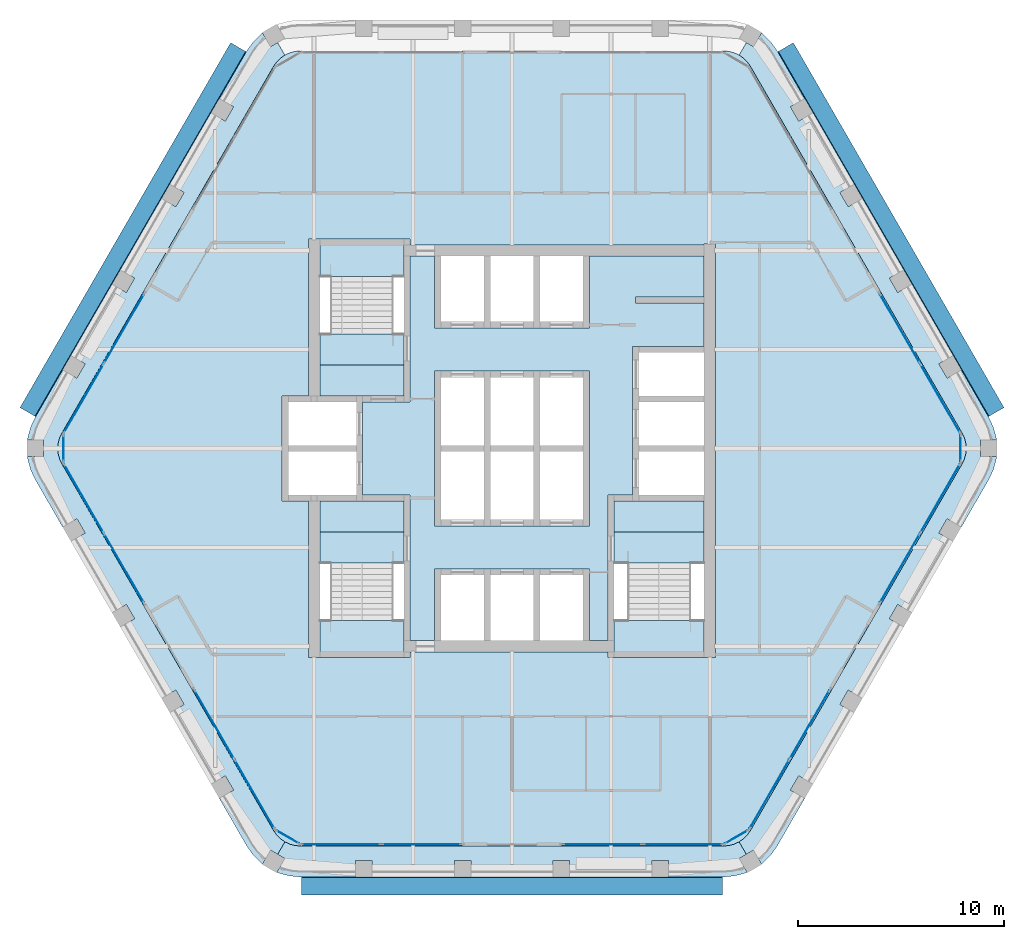
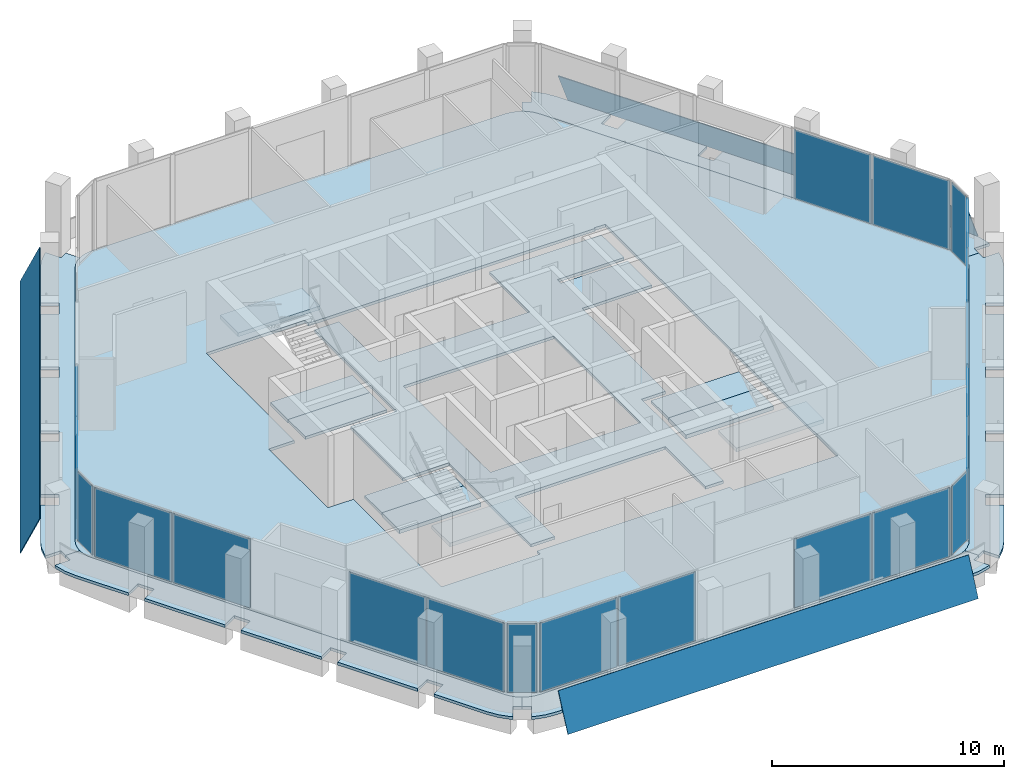
# One storey, part 6 of 13: 23 plates, 16 slabs, 15 elements without a shape of their own.
"""IFC4 building model written with IfcOpenShell, lengths in metres."""

from ifc_helpers import new_model, si_unit, direction, frame, origin, origin_2d, place, context, subcontext, project, spatial, polyline, rectangle, outline, extrude, material, layer, layer_set, type_object, element, aggregate, save


model = new_model("IFC4")

# Units and contexts
model_context = context("Model", 3, precision=1e-05, world=origin(), true_north=direction((0.0, 1.0)))
body_context = subcontext(model_context, "Body", "Model", "MODEL_VIEW")
ifc_project = project(units=[si_unit("LENGTHUNIT", "METRE"), si_unit("AREAUNIT", "SQUARE_METRE"), si_unit("VOLUMEUNIT", "CUBIC_METRE"), si_unit("PLANEANGLEUNIT", "RADIAN"), si_unit("MASSUNIT", "GRAM", prefix="KILO")], contexts=[model_context])

# Site, building, storey
site_placement = place(None, origin())
site = spatial("IfcSite", under=ifc_project, at=site_placement, CompositionType="ELEMENT")
building_placement = place(site_placement, origin())
building = spatial("IfcBuilding", under=site, at=building_placement, Name="Kolab Exchange Tower", CompositionType="ELEMENT")
storey_placement = place(building_placement, frame((0.0, 0.0, 257.89990234375)))
storey = spatial("IfcBuildingStorey", under=building, at=storey_placement, Name="L57", CompositionType="ELEMENT", Elevation=257.89990234375)

# Slabs
ifc_material_1 = material(Name="Concrete C35/45", Category="concrete")
ifc_layer_1 = layer(ifc_material_1, 0.14990234375)
ifc_layer_set_1 = layer_set([ifc_layer_1], Name="Concrete C35/45")
slab_type_1 = type_object("IfcSlabType", Name="FLOOR SLAB 150", PredefinedType="FLOOR", material=ifc_layer_set_1)
slab_1_placement = place(storey_placement, frame((0.0, 0.0, -0.14990234375)))
element("IfcSlab", 1, at=slab_1_placement, inside=storey, type_object=slab_type_1, Name="slab/L57/floor/0", PredefinedType="FLOOR", context=body_context, shape_type="SweptSolid", body=[
    extrude(outline(polyline([(11.56689453125, -18.53466796875), (21.8349609375, -0.75), (21.945556640625, -0.512939453125), (22.01318359375, -0.260498046875), (22.035888671875, 0.0), (22.01318359375, 0.260498046875), (21.945556640625, 0.512939453125), (21.8349609375, 0.75), (11.56689453125, 18.53466796875), (11.4169921875, 18.748779296875), (11.232177734375, 18.93359375), (11.01806640625, 19.083740234375), (10.781005859375, 19.194091796875), (10.5283203125, 19.26171875), (10.26806640625, 19.28466796875), (-10.26806640625, 19.28466796875), (-10.5283203125, 19.26171875), (-10.781005859375, 19.194091796875), (-11.01806640625, 19.083740234375), (-11.232177734375, 18.93359375), (-11.4169921875, 18.748779296875), (-11.56689453125, 18.53466796875), (-21.8349609375, 0.75), (-21.945556640625, 0.512939453125), (-22.01318359375, 0.260498046875), (-22.035888671875, 0.0), (-22.01318359375, -0.260498046875), (-21.945556640625, -0.512939453125), (-21.8349609375, -0.75), (-11.56689453125, -18.53466796875), (-11.4169921875, -18.748779296875), (-11.232177734375, -18.93359375), (-11.01806640625, -19.083740234375), (-10.781005859375, -19.194091796875), (-10.5283203125, -19.26171875), (-10.26806640625, -19.28466796875), (10.26806640625, -19.28466796875), (10.5283203125, -19.26171875), (10.781005859375, -19.194091796875), (11.01806640625, -19.083740234375), (11.232177734375, -18.93359375), (11.4169921875, -18.748779296875), (11.56689453125, -18.53466796875)]), holes=[polyline([(-9.324951171875, -10.14990234375), (-9.875, -10.14990234375), (-9.875, -2.550048828125), (-10.85009765625, -2.550048828125), (-11.14990234375, -2.550048828125), (-11.14990234375, 2.550048828125), (-10.85009765625, 2.550048828125), (-9.875, 2.550048828125), (-9.875, 10.14990234375), (-9.324951171875, 10.14990234375), (-5.25, 10.14990234375), (-4.949951171875, 10.14990234375), (-4.949951171875, 9.875), (9.324951171875, 9.875), (9.324951171875, 9.925048828125), (9.875, 9.925048828125), (9.875, -10.14990234375), (9.324951171875, -10.14990234375), (4.949951171875, -10.14990234375), (4.64990234375, -10.14990234375), (4.64990234375, -9.875), (-4.949951171875, -9.875), (-4.949951171875, -10.14990234375), (-5.25, -10.14990234375), (-9.324951171875, -10.14990234375)])]), origin(), (0.0, 0.0, 1.0), 0.14990234375),
])
slab_2_placement = place(storey_placement, frame((0.0, 0.0, -0.14990234375)))
element("IfcSlab", 2, at=slab_2_placement, inside=storey, type_object=slab_type_1, Name="slab/L57/floor/1", PredefinedType="FLOOR", context=body_context, shape_type="SweptSolid", body=[
    extrude(outline(polyline([(-4.949951171875, 9.324951171875), (-4.949951171875, 2.25), (-5.25, 2.25), (-7.25, 2.25), (-7.25, -2.25), (-5.25, -2.25), (-4.949951171875, -2.25), (-4.949951171875, -9.324951171875), (-3.75, -9.324951171875), (-3.75, -5.85009765625), (-3.449951171875, -5.85009765625), (-1.35009765625, -5.85009765625), (-1.050048828125, -5.85009765625), (1.050048828125, -5.85009765625), (1.35009765625, -5.85009765625), (3.449951171875, -5.85009765625), (3.75, -5.85009765625), (3.75, -9.324951171875), (4.64990234375, -9.324951171875), (4.64990234375, -2.25), (4.949951171875, -2.25), (5.85009765625, -2.25), (5.85009765625, 4.949951171875), (6.14990234375, 4.949951171875), (9.324951171875, 4.949951171875), (9.324951171875, 7.050048828125), (6.0, 7.050048828125), (6.0, 7.35009765625), (9.324951171875, 7.35009765625), (9.324951171875, 9.324951171875), (3.75, 9.324951171875), (3.75, 5.85009765625), (3.449951171875, 5.85009765625), (1.35009765625, 5.85009765625), (1.050048828125, 5.85009765625), (-1.050048828125, 5.85009765625), (-1.35009765625, 5.85009765625), (-3.449951171875, 5.85009765625), (-3.75, 5.85009765625), (-3.75, 9.324951171875), (-4.949951171875, 9.324951171875)]), holes=[polyline([(-3.449951171875, -3.75), (-3.75, -3.75), (-3.75, 3.75), (-3.449951171875, 3.75), (-1.35009765625, 3.75), (-1.050048828125, 3.75), (1.050048828125, 3.75), (1.35009765625, 3.75), (3.449951171875, 3.75), (3.75, 3.75), (3.75, -3.75), (3.449951171875, -3.75), (1.35009765625, -3.75), (1.050048828125, -3.75), (-1.050048828125, -3.75), (-1.35009765625, -3.75), (-3.449951171875, -3.75)])]), origin(), (0.0, 0.0, 1.0), 0.14990234375),
])
slab_3_placement = place(storey_placement, frame((0.0, 0.0, -0.14990234375)))
element("IfcSlab", 3, at=slab_3_placement, inside=storey, type_object=slab_type_1, Name="slab/L57/floor/2", PredefinedType="FLOOR", context=body_context, shape_type="SweptSolid", body=[
    extrude(outline(polyline([(4.949951171875, -2.550048828125), (4.949951171875, -4.050048828125), (9.324951171875, -4.050048828125), (9.324951171875, -2.550048828125), (6.14990234375, -2.550048828125), (5.85009765625, -2.550048828125), (4.949951171875, -2.550048828125)])), origin(), (0.0, 0.0, 1.0), 0.14990234375),
])
slab_4_placement = place(storey_placement, frame((0.0, 0.0, -0.14990234375)))
element("IfcSlab", 4, at=slab_4_placement, inside=storey, type_object=slab_type_1, Name="slab/L57/floor/3", PredefinedType="FLOOR", context=body_context, shape_type="SweptSolid", body=[
    extrude(outline(polyline([(-7.550048828125, -2.550048828125), (-9.324951171875, -2.550048828125), (-9.324951171875, -4.050048828125), (-5.25, -4.050048828125), (-5.25, -2.550048828125), (-7.25, -2.550048828125), (-7.550048828125, -2.550048828125)])), origin(), (0.0, 0.0, 1.0), 0.14990234375),
])
slab_5_placement = place(storey_placement, frame((0.0, 0.0, -0.14990234375)))
element("IfcSlab", 5, at=slab_5_placement, inside=storey, type_object=slab_type_1, Name="slab/L57/floor/4", PredefinedType="FLOOR", context=body_context, shape_type="SweptSolid", body=[
    extrude(outline(polyline([(-9.324951171875, 4.050048828125), (-9.324951171875, 2.550048828125), (-7.550048828125, 2.550048828125), (-7.25, 2.550048828125), (-5.25, 2.550048828125), (-5.25, 4.050048828125), (-9.324951171875, 4.050048828125)])), origin(), (0.0, 0.0, 1.0), 0.14990234375),
])
ifc_layer_2 = layer(ifc_material_1, 0.14990234375)
ifc_layer_set_2 = layer_set([ifc_layer_2], Name="Concrete C35/45")
slab_type_2 = type_object("IfcSlabType", Name="LOGGIA SLAB 150", PredefinedType="FLOOR", material=ifc_layer_set_2)
slab_6_placement = place(storey_placement, frame((0.0, 0.0, -0.14990234375)))
element("IfcSlab", 6, at=slab_6_placement, inside=storey, type_object=slab_type_2, Name="slab/L57/loggia/1-0", PredefinedType="FLOOR", context=body_context, shape_type="SweptSolid", body=[
    extrude(outline(polyline([(22.035888671875, 0.0), (22.73583984375, 0.0), (22.73583984375, 0.39990234375), (23.5009765625, 0.39990234375), (23.490234375, 0.52099609375), (23.35498046875, 1.026123046875), (23.134033203125, 1.5), (21.800048828125, 3.810546875), (21.107177734375, 3.410400390625), (20.707275390625, 4.103271484375), (21.39990234375, 4.50341796875), (19.39990234375, 7.967529296875), (18.707275390625, 7.5673828125), (18.30712890625, 8.26025390625), (19.0, 8.66015625), (17.0, 12.124267578125), (16.30712890625, 11.724365234375), (15.9072265625, 12.417236328125), (16.60009765625, 12.817138671875), (14.60009765625, 16.28125), (13.9072265625, 15.88134765625), (13.507080078125, 16.57421875), (14.199951171875, 16.97412109375), (12.865966796875, 19.28466796875), (12.566162109375, 19.712890625), (12.1962890625, 20.082763671875), (12.096923828125, 20.15234375), (11.71435546875, 19.48974609375), (11.367919921875, 19.68994140625), (11.01806640625, 19.083740234375), (11.232177734375, 18.93359375), (11.4169921875, 18.748779296875), (11.56689453125, 18.53466796875), (21.8349609375, 0.75), (21.945556640625, 0.512939453125), (22.01318359375, 0.260498046875), (22.035888671875, 0.0)])), origin(), (0.0, 0.0, 1.0), 0.14990234375),
])
slab_7_placement = place(storey_placement, frame((0.0, 0.0, -0.14990234375)))
element("IfcSlab", 7, at=slab_7_placement, inside=storey, type_object=slab_type_2, Name="slab/L57/loggia/2-0", PredefinedType="FLOOR", context=body_context, shape_type="SweptSolid", body=[
    extrude(outline(polyline([(12.865966796875, -19.28466796875), (14.199951171875, -16.97412109375), (13.507080078125, -16.57421875), (13.9072265625, -15.88134765625), (14.60009765625, -16.28125), (16.60009765625, -12.817138671875), (15.9072265625, -12.417236328125), (16.30712890625, -11.724365234375), (17.0, -12.124267578125), (19.0, -8.66015625), (18.30712890625, -8.26025390625), (18.707275390625, -7.5673828125), (19.39990234375, -7.967529296875), (21.39990234375, -4.50341796875), (20.707275390625, -4.103271484375), (21.107177734375, -3.410400390625), (21.800048828125, -3.810546875), (23.134033203125, -1.5), (23.35498046875, -1.026123046875), (23.490234375, -0.52099609375), (23.5009765625, -0.39990234375), (22.73583984375, -0.39990234375), (22.73583984375, 0.0), (22.035888671875, 0.0), (22.01318359375, -0.260498046875), (21.945556640625, -0.512939453125), (21.8349609375, -0.75), (11.56689453125, -18.53466796875), (11.4169921875, -18.748779296875), (11.232177734375, -18.93359375), (11.01806640625, -19.083740234375), (11.367919921875, -19.68994140625), (11.71435546875, -19.48974609375), (12.096923828125, -20.15234375), (12.1962890625, -20.082763671875), (12.566162109375, -19.712890625), (12.865966796875, -19.28466796875)])), origin(), (0.0, 0.0, 1.0), 0.14990234375),
])
slab_8_placement = place(storey_placement, frame((0.0, 0.0, -0.14990234375)))
element("IfcSlab", 8, at=slab_8_placement, inside=storey, type_object=slab_type_2, Name="slab/L57/loggia/3-0", PredefinedType="FLOOR", context=body_context, shape_type="SweptSolid", body=[
    extrude(outline(polyline([(-11.01806640625, -19.083740234375), (-11.367919921875, -19.68994140625), (-11.021484375, -19.889892578125), (-11.404052734375, -20.552490234375), (-11.2939453125, -20.603759765625), (-10.788818359375, -20.739013671875), (-10.26806640625, -20.78466796875), (-7.60009765625, -20.78466796875), (-7.60009765625, -19.984619140625), (-6.800048828125, -19.984619140625), (-6.800048828125, -20.78466796875), (-2.800048828125, -20.78466796875), (-2.800048828125, -19.984619140625), (-2.0, -19.984619140625), (-2.0, -20.78466796875), (2.0, -20.78466796875), (2.0, -19.984619140625), (2.800048828125, -19.984619140625), (2.800048828125, -20.78466796875), (6.800048828125, -20.78466796875), (6.800048828125, -19.984619140625), (7.60009765625, -19.984619140625), (7.60009765625, -20.78466796875), (10.26806640625, -20.78466796875), (10.788818359375, -20.739013671875), (11.2939453125, -20.603759765625), (11.404052734375, -20.552490234375), (11.021484375, -19.889892578125), (11.367919921875, -19.68994140625), (11.01806640625, -19.083740234375), (10.781005859375, -19.194091796875), (10.5283203125, -19.26171875), (10.26806640625, -19.28466796875), (-10.26806640625, -19.28466796875), (-10.5283203125, -19.26171875), (-10.781005859375, -19.194091796875), (-11.01806640625, -19.083740234375)])), origin(), (0.0, 0.0, 1.0), 0.14990234375),
])
slab_9_placement = place(storey_placement, frame((0.0, 0.0, -0.14990234375)))
element("IfcSlab", 9, at=slab_9_placement, inside=storey, type_object=slab_type_2, Name="slab/L57/loggia/4-0", PredefinedType="FLOOR", context=body_context, shape_type="SweptSolid", body=[
    extrude(outline(polyline([(-22.035888671875, 0.0), (-22.73583984375, 0.0), (-22.73583984375, -0.39990234375), (-23.5009765625, -0.39990234375), (-23.490234375, -0.52099609375), (-23.35498046875, -1.026123046875), (-23.134033203125, -1.5), (-21.800048828125, -3.810546875), (-21.107177734375, -3.410400390625), (-20.707275390625, -4.103271484375), (-21.39990234375, -4.50341796875), (-19.39990234375, -7.967529296875), (-18.707275390625, -7.5673828125), (-18.30712890625, -8.26025390625), (-19.0, -8.66015625), (-17.0, -12.124267578125), (-16.30712890625, -11.724365234375), (-15.9072265625, -12.417236328125), (-16.60009765625, -12.817138671875), (-14.60009765625, -16.28125), (-13.9072265625, -15.88134765625), (-13.507080078125, -16.57421875), (-14.199951171875, -16.97412109375), (-12.865966796875, -19.28466796875), (-12.566162109375, -19.712890625), (-12.1962890625, -20.082763671875), (-12.096923828125, -20.15234375), (-11.71435546875, -19.48974609375), (-11.367919921875, -19.68994140625), (-11.01806640625, -19.083740234375), (-11.232177734375, -18.93359375), (-11.4169921875, -18.748779296875), (-11.56689453125, -18.53466796875), (-21.8349609375, -0.75), (-21.945556640625, -0.512939453125), (-22.01318359375, -0.260498046875), (-22.035888671875, 0.0)])), origin(), (0.0, 0.0, 1.0), 0.14990234375),
])
slab_10_placement = place(storey_placement, frame((0.0, 0.0, -0.14990234375)))
element("IfcSlab", 10, at=slab_10_placement, inside=storey, type_object=slab_type_2, Name="slab/L57/loggia/5-0", PredefinedType="FLOOR", context=body_context, shape_type="SweptSolid", body=[
    extrude(outline(polyline([(-11.01806640625, 19.083740234375), (-11.367919921875, 19.68994140625), (-11.71435546875, 19.48974609375), (-12.096923828125, 20.15234375), (-12.1962890625, 20.082763671875), (-12.566162109375, 19.712890625), (-12.865966796875, 19.28466796875), (-14.199951171875, 16.97412109375), (-13.507080078125, 16.57421875), (-13.9072265625, 15.88134765625), (-14.60009765625, 16.28125), (-16.60009765625, 12.817138671875), (-15.9072265625, 12.417236328125), (-16.30712890625, 11.724365234375), (-17.0, 12.124267578125), (-19.0, 8.66015625), (-18.30712890625, 8.26025390625), (-18.707275390625, 7.5673828125), (-19.39990234375, 7.967529296875), (-21.39990234375, 4.50341796875), (-20.707275390625, 4.103271484375), (-21.107177734375, 3.410400390625), (-21.800048828125, 3.810546875), (-23.134033203125, 1.5), (-23.35498046875, 1.026123046875), (-23.490234375, 0.52099609375), (-23.5009765625, 0.39990234375), (-22.73583984375, 0.39990234375), (-22.73583984375, 0.0), (-22.035888671875, 0.0), (-22.01318359375, 0.260498046875), (-21.945556640625, 0.512939453125), (-21.8349609375, 0.75), (-11.56689453125, 18.53466796875), (-11.4169921875, 18.748779296875), (-11.232177734375, 18.93359375), (-11.01806640625, 19.083740234375)])), origin(), (0.0, 0.0, 1.0), 0.14990234375),
])

# Plates
ifc_material_2 = material(Name="Laminated glass, clear", Category="glass")
ifc_layer_3 = layer(ifc_material_2, 0.0400390625)
ifc_layer_set_3 = layer_set([ifc_layer_3], Name="Laminated glass, clear")
plate_type_1 = type_object("IfcPlateType", Name="OUTER SKIN LAMINATED GLASS SHEET 40", PredefinedType="SHEET", material=ifc_layer_set_3)
plate_1_placement = place(storey_placement, frame((13.6494140625, 19.67919921875, -0.68310546875), z_axis=(0.784886322863, 0.453152182031, 0.422618693508), x_axis=(0.499997422494, -0.866026891901, 1.981408e-06)))
element("IfcPlate", 11, at=plate_1_placement, inside=storey, type_object=plate_type_1, Name="Outer skin", PredefinedType="SHEET", context=body_context, shape_type="SweptSolid", body=[
    extrude(outline(polyline([(0.0, 0.0), (20.435802623779963, 0.0), (20.435856947346753, -1.9860898935068516), (-6.774611643567295e-05, -1.9861792489881693), (0.0, 0.0)])), origin(), (0.0, 0.0, -1.0), 0.0400390625),
])
plate_2_placement = place(storey_placement, frame((10.218017578125, -21.66015625, -0.68310546875), z_axis=(0.0, -0.906311853188, 0.422609541742), x_axis=(-1.0, 0.0, 0.0)))
element("IfcPlate", 12, at=plate_2_placement, inside=storey, type_object=plate_type_1, Name="Outer skin", PredefinedType="SHEET", context=body_context, shape_type="SweptSolid", body=[
    extrude(outline(polyline([(0.0, 0.0), (20.43603515625, 0.0), (20.43603515625, -1.9861252192534886), (0.0, -1.9861252192534886), (0.0, 0.0)])), origin(), (0.0, 0.0, -1.0), 0.0400390625),
])
plate_3_placement = place(storey_placement, frame((-23.8671875, 1.981201171875, -0.68310546875), z_axis=(-0.784886322863, 0.453152182031, 0.422618693508), x_axis=(0.499997422494, 0.866026891901, -1.981408e-06)))
element("IfcPlate", 13, at=plate_3_placement, inside=storey, type_object=plate_type_1, Name="Outer skin", PredefinedType="SHEET", context=body_context, shape_type="SweptSolid", body=[
    extrude(outline(polyline([(0.0, 0.0), (20.435802623779963, 0.0), (20.435870369896403, -1.9861792489881698), (-5.4323566790471804e-05, -1.9860898935068518), (0.0, 0.0)])), origin(), (0.0, 0.0, -1.0), 0.0400390625),
])

# Stair, slabs
ifc_material_3 = material(Name="Concrete C50/60", Category="concrete")
stair_type_1 = type_object("IfcStairType", Name="STAIR ST1 RISER 177.3", PredefinedType="HALF_TURN_STAIR", material=ifc_material_3)
stair_1_placement = place(storey_placement, origin())
stair_1 = element("IfcStair", 14, at=stair_1_placement, inside=storey, type_object=stair_type_1, Name="Stair 1", PredefinedType="HALF_TURN_STAIR")
ifc_layer_4 = layer(ifc_material_3, 0.199951171875)
ifc_layer_set_4 = layer_set([ifc_layer_4], Name="Concrete C50/60")
slab_type_3 = type_object("IfcSlabType", Name="STAIR LANDING 200", PredefinedType="LANDING", material=ifc_layer_set_4)
slab_11_placement = place(storey_placement, frame((0.0, 0.0, -0.199951171875)))
slab_11 = element("IfcSlab", 15, at=slab_11_placement, type_object=slab_type_3, Name="ST1 landing 1", PredefinedType="LANDING", context=body_context, shape_type="SweptSolid", body=[
    extrude(outline(polyline([(-9.324951171875, 4.050048828125), (-5.25, 4.050048828125), (-5.25, 5.550048828125), (-9.324951171875, 5.550048828125), (-9.324951171875, 4.050048828125)])), origin(), (0.0, 0.0, 1.0), 0.199951171875),
])
slab_12_placement = place(storey_placement, frame((0.0, 0.0, 1.75)))
slab_12 = element("IfcSlab", 16, at=slab_12_placement, type_object=slab_type_3, Name="ST1 landing 2", PredefinedType="LANDING", context=body_context, shape_type="SweptSolid", body=[
    extrude(outline(polyline([(-9.324951171875, 8.35009765625), (-5.25, 8.35009765625), (-5.25, 9.909912109375), (-9.324951171875, 9.909912109375), (-9.324951171875, 8.35009765625)])), origin(), (0.0, 0.0, 1.0), 0.2001953125),
])
aggregate(stair_1, [slab_11, slab_12])

stair_type_2 = type_object("IfcStairType", Name="STAIR ST3 RISER 177.3", PredefinedType="HALF_TURN_STAIR", material=ifc_material_3)
stair_2_placement = place(storey_placement, origin())
stair_2 = element("IfcStair", 17, at=stair_2_placement, inside=storey, type_object=stair_type_2, Name="Stair 3", PredefinedType="HALF_TURN_STAIR")
slab_13_placement = place(storey_placement, frame((0.0, 0.0, -0.199951171875)))
slab_13 = element("IfcSlab", 18, at=slab_13_placement, type_object=slab_type_3, Name="ST3 landing 1", PredefinedType="LANDING", context=body_context, shape_type="SweptSolid", body=[
    extrude(outline(polyline([(-9.324951171875, -5.550048828125), (-5.25, -5.550048828125), (-5.25, -4.050048828125), (-9.324951171875, -4.050048828125), (-9.324951171875, -5.550048828125)])), origin(), (0.0, 0.0, 1.0), 0.199951171875),
])
slab_14_placement = place(storey_placement, frame((0.0, 0.0, 1.75)))
slab_14 = element("IfcSlab", 19, at=slab_14_placement, type_object=slab_type_3, Name="ST3 landing 2", PredefinedType="LANDING", context=body_context, shape_type="SweptSolid", body=[
    extrude(outline(polyline([(-9.324951171875, -9.909912109375), (-5.25, -9.909912109375), (-5.25, -8.35009765625), (-9.324951171875, -8.35009765625), (-9.324951171875, -9.909912109375)])), origin(), (0.0, 0.0, 1.0), 0.2001953125),
])
aggregate(stair_2, [slab_13, slab_14])

stair_type_3 = type_object("IfcStairType", Name="STAIR ST2 RISER 177.3", PredefinedType="HALF_TURN_STAIR", material=ifc_material_3)
stair_3_placement = place(storey_placement, origin())
stair_3 = element("IfcStair", 20, at=stair_3_placement, inside=storey, type_object=stair_type_3, Name="Stair 2", PredefinedType="HALF_TURN_STAIR")
slab_15_placement = place(storey_placement, frame((0.0, 0.0, -0.199951171875)))
slab_15 = element("IfcSlab", 21, at=slab_15_placement, type_object=slab_type_3, Name="ST2 landing 1", PredefinedType="LANDING", context=body_context, shape_type="SweptSolid", body=[
    extrude(outline(polyline([(4.949951171875, -5.550048828125), (9.324951171875, -5.550048828125), (9.324951171875, -4.050048828125), (4.949951171875, -4.050048828125), (4.949951171875, -5.550048828125)])), origin(), (0.0, 0.0, 1.0), 0.199951171875),
])
slab_16_placement = place(storey_placement, frame((0.0, 0.0, 1.75)))
slab_16 = element("IfcSlab", 22, at=slab_16_placement, type_object=slab_type_3, Name="ST2 landing 2", PredefinedType="LANDING", context=body_context, shape_type="SweptSolid", body=[
    extrude(outline(polyline([(4.949951171875, -9.909912109375), (9.324951171875, -9.909912109375), (9.324951171875, -8.35009765625), (4.949951171875, -8.35009765625), (4.949951171875, -9.909912109375)])), origin(), (0.0, 0.0, 1.0), 0.2001953125),
])
aggregate(stair_3, [slab_15, slab_16])

# Curtain wall, plates
ifc_material_4 = material(Name="Aluminium EN AW-6063 T6", Category="aluminium")
curtain_wall_type = type_object("IfcCurtainWallType", Name="UNITISED HIGH ZONE CURTAIN WALL", PredefinedType="NOTDEFINED", material=ifc_material_4)
curtain_wall_1_placement = place(storey_placement, origin())
curtain_wall_1 = element("IfcCurtainWall", 23, at=curtain_wall_1_placement, inside=storey, type_object=curtain_wall_type, Name="cw/L57/F2-2", PredefinedType="NOTDEFINED")
ifc_material_5 = material(Name="Clear insulated glazing unit", Category="glass")
ifc_layer_5 = layer(ifc_material_5, 0.030029296875)
ifc_layer_set_5 = layer_set([ifc_layer_5], Name="Clear insulated glazing unit")
plate_type_2 = type_object("IfcPlateType", Name="UNITISED HIGH ZONE GLASS PANEL 30", PredefinedType="CURTAIN_PANEL", material=ifc_layer_set_5)
plate_4_placement = place(storey_placement, frame((18.82275390625, 5.807373046875, 0.06005859375), z_axis=(0.0, 0.0, 1.0), x_axis=(0.499999936366, -0.866025440524, 0.0)))
plate_4 = element("IfcPlate", 24, at=plate_4_placement, type_object=plate_type_2, Name="CW4 panel 1.1", PredefinedType="CURTAIN_PANEL", context=body_context, shape_type="SweptSolid", body=[
    extrude(rectangle(XDim=3.843994140625, YDim=0.030029296875, at=origin_2d()), origin(), (0.0, 0.0, 1.0), 3.6298828125),
])
plate_5_placement = place(storey_placement, frame((20.774658203125, 2.426513671875, 0.06005859375), z_axis=(0.0, 0.0, 1.0), x_axis=(0.499999936366, -0.866025440524, 0.0)))
plate_5 = element("IfcPlate", 25, at=plate_5_placement, type_object=plate_type_2, Name="CW4 panel 2.1", PredefinedType="CURTAIN_PANEL", context=body_context, shape_type="SweptSolid", body=[
    extrude(rectangle(XDim=3.843994140625, YDim=0.030029296875, at=origin_2d()), origin(), (0.0, 0.0, 1.0), 3.6298828125),
])
aggregate(curtain_wall_1, [plate_4, plate_5])

curtain_wall_2_placement = place(storey_placement, origin())
curtain_wall_2 = element("IfcCurtainWall", 26, at=curtain_wall_2_placement, inside=storey, type_object=curtain_wall_type, Name="cw/L57/F3-1", PredefinedType="NOTDEFINED")
plate_6_placement = place(storey_placement, frame((20.774658203125, -2.426513671875, 0.06005859375), z_axis=(0.0, 0.0, 1.0), x_axis=(-0.499999936366, -0.866025440524, 0.0)))
plate_6 = element("IfcPlate", 27, at=plate_6_placement, type_object=plate_type_2, Name="CW4 panel 1.1", PredefinedType="CURTAIN_PANEL", context=body_context, shape_type="SweptSolid", body=[
    extrude(rectangle(XDim=3.843994140625, YDim=0.030029296875, at=origin_2d()), origin(), (0.0, 0.0, 1.0), 3.6298828125),
])
plate_7_placement = place(storey_placement, frame((18.82275390625, -5.807373046875, 0.06005859375), z_axis=(0.0, 0.0, 1.0), x_axis=(-0.499999936366, -0.866025440524, 0.0)))
plate_7 = element("IfcPlate", 28, at=plate_7_placement, type_object=plate_type_2, Name="CW4 panel 2.1", PredefinedType="CURTAIN_PANEL", context=body_context, shape_type="SweptSolid", body=[
    extrude(rectangle(XDim=3.843994140625, YDim=0.030029296875, at=origin_2d()), origin(), (0.0, 0.0, 1.0), 3.6298828125),
])
aggregate(curtain_wall_2, [plate_6, plate_7])

curtain_wall_3_placement = place(storey_placement, origin())
curtain_wall_3 = element("IfcCurtainWall", 29, at=curtain_wall_3_placement, inside=storey, type_object=curtain_wall_type, Name="cw/L57/F3-2", PredefinedType="NOTDEFINED")
plate_8_placement = place(storey_placement, frame((14.440673828125, -13.397216796875, 0.06005859375), z_axis=(0.0, 0.0, 1.0), x_axis=(-0.500000031681, -0.866025385493, 0.0)))
plate_8 = element("IfcPlate", 30, at=plate_8_placement, type_object=plate_type_2, Name="CW4 panel 1.1", PredefinedType="CURTAIN_PANEL", context=body_context, shape_type="SweptSolid", body=[
    extrude(rectangle(XDim=3.843994140625, YDim=0.030029296875, at=origin_2d()), origin(), (0.0, 0.0, 1.0), 3.6298828125),
])
plate_9_placement = place(storey_placement, frame((12.48876953125, -16.778076171875, 0.06005859375), z_axis=(0.0, 0.0, 1.0), x_axis=(-0.500000031681, -0.866025385493, 0.0)))
plate_9 = element("IfcPlate", 31, at=plate_9_placement, type_object=plate_type_2, Name="CW4 panel 2.1", PredefinedType="CURTAIN_PANEL", context=body_context, shape_type="SweptSolid", body=[
    extrude(rectangle(XDim=3.843994140625, YDim=0.030029296875, at=origin_2d()), origin(), (0.0, 0.0, 1.0), 3.6298828125),
])
aggregate(curtain_wall_3, [plate_8, plate_9])

curtain_wall_4_placement = place(storey_placement, origin())
curtain_wall_4 = element("IfcCurtainWall", 32, at=curtain_wall_4_placement, inside=storey, type_object=curtain_wall_type, Name="cw/L57/F4-1", PredefinedType="NOTDEFINED")
plate_10_placement = place(storey_placement, frame((8.285888671875, -19.20458984375, 0.06005859375), z_axis=(0.0, 0.0, 1.0), x_axis=(-1.0, 0.0, 0.0)))
plate_10 = element("IfcPlate", 33, at=plate_10_placement, type_object=plate_type_2, Name="CW4 panel 1.1", PredefinedType="CURTAIN_PANEL", context=body_context, shape_type="SweptSolid", body=[
    extrude(rectangle(XDim=3.843994140625, YDim=0.030029296875, at=origin_2d()), origin(), (0.0, 0.0, 1.0), 3.6298828125),
])
plate_11_placement = place(storey_placement, frame((4.382080078125, -19.20458984375, 0.06005859375), z_axis=(0.0, 0.0, 1.0), x_axis=(-1.0, 0.0, 0.0)))
plate_11 = element("IfcPlate", 34, at=plate_11_placement, type_object=plate_type_2, Name="CW4 panel 2.1", PredefinedType="CURTAIN_PANEL", context=body_context, shape_type="SweptSolid", body=[
    extrude(rectangle(XDim=3.843994140625, YDim=0.030029296875, at=origin_2d()), origin(), (0.0, 0.0, 1.0), 3.6298828125),
])
aggregate(curtain_wall_4, [plate_10, plate_11])

curtain_wall_5_placement = place(storey_placement, origin())
curtain_wall_5 = element("IfcCurtainWall", 35, at=curtain_wall_5_placement, inside=storey, type_object=curtain_wall_type, Name="cw/L57/F4-2", PredefinedType="NOTDEFINED")
plate_12_placement = place(storey_placement, frame((-4.382080078125, -19.20458984375, 0.06005859375), z_axis=(0.0, 0.0, 1.0), x_axis=(-1.0, 0.0, 0.0)))
plate_12 = element("IfcPlate", 36, at=plate_12_placement, type_object=plate_type_2, Name="CW4 panel 1.1", PredefinedType="CURTAIN_PANEL", context=body_context, shape_type="SweptSolid", body=[
    extrude(rectangle(XDim=3.843994140625, YDim=0.030029296875, at=origin_2d()), origin(), (0.0, 0.0, 1.0), 3.6298828125),
])
plate_13_placement = place(storey_placement, frame((-8.285888671875, -19.20458984375, 0.06005859375), z_axis=(0.0, 0.0, 1.0), x_axis=(-1.0, 0.0, 0.0)))
plate_13 = element("IfcPlate", 37, at=plate_13_placement, type_object=plate_type_2, Name="CW4 panel 2.1", PredefinedType="CURTAIN_PANEL", context=body_context, shape_type="SweptSolid", body=[
    extrude(rectangle(XDim=3.843994140625, YDim=0.030029296875, at=origin_2d()), origin(), (0.0, 0.0, 1.0), 3.6298828125),
])
aggregate(curtain_wall_5, [plate_12, plate_13])

curtain_wall_6_placement = place(storey_placement, origin())
curtain_wall_6 = element("IfcCurtainWall", 38, at=curtain_wall_6_placement, inside=storey, type_object=curtain_wall_type, Name="cw/L57/F5-1", PredefinedType="NOTDEFINED")
plate_14_placement = place(storey_placement, frame((-12.48876953125, -16.778076171875, 0.06005859375), z_axis=(0.0, 0.0, 1.0), x_axis=(-0.500000031681, 0.866025385493, 0.0)))
plate_14 = element("IfcPlate", 39, at=plate_14_placement, type_object=plate_type_2, Name="CW4 panel 1.1", PredefinedType="CURTAIN_PANEL", context=body_context, shape_type="SweptSolid", body=[
    extrude(rectangle(XDim=3.843994140625, YDim=0.030029296875, at=origin_2d()), origin(), (0.0, 0.0, 1.0), 3.6298828125),
])
plate_15_placement = place(storey_placement, frame((-14.440673828125, -13.397216796875, 0.06005859375), z_axis=(0.0, 0.0, 1.0), x_axis=(-0.500000031681, 0.866025385493, 0.0)))
plate_15 = element("IfcPlate", 40, at=plate_15_placement, type_object=plate_type_2, Name="CW4 panel 2.1", PredefinedType="CURTAIN_PANEL", context=body_context, shape_type="SweptSolid", body=[
    extrude(rectangle(XDim=3.843994140625, YDim=0.030029296875, at=origin_2d()), origin(), (0.0, 0.0, 1.0), 3.6298828125),
])
aggregate(curtain_wall_6, [plate_14, plate_15])

curtain_wall_7_placement = place(storey_placement, origin())
curtain_wall_7 = element("IfcCurtainWall", 41, at=curtain_wall_7_placement, inside=storey, type_object=curtain_wall_type, Name="cw/L57/F5-2", PredefinedType="NOTDEFINED")
plate_16_placement = place(storey_placement, frame((-18.82275390625, -5.807373046875, 0.06005859375), z_axis=(0.0, 0.0, 1.0), x_axis=(-0.499999936366, 0.866025440524, 0.0)))
plate_16 = element("IfcPlate", 42, at=plate_16_placement, type_object=plate_type_2, Name="CW4 panel 1.1", PredefinedType="CURTAIN_PANEL", context=body_context, shape_type="SweptSolid", body=[
    extrude(rectangle(XDim=3.843994140625, YDim=0.030029296875, at=origin_2d()), origin(), (0.0, 0.0, 1.0), 3.6298828125),
])
plate_17_placement = place(storey_placement, frame((-20.774658203125, -2.426513671875, 0.06005859375), z_axis=(0.0, 0.0, 1.0), x_axis=(-0.499999936366, 0.866025440524, 0.0)))
plate_17 = element("IfcPlate", 43, at=plate_17_placement, type_object=plate_type_2, Name="CW4 panel 2.1", PredefinedType="CURTAIN_PANEL", context=body_context, shape_type="SweptSolid", body=[
    extrude(rectangle(XDim=3.843994140625, YDim=0.030029296875, at=origin_2d()), origin(), (0.0, 0.0, 1.0), 3.6298828125),
])
aggregate(curtain_wall_7, [plate_16, plate_17])

curtain_wall_8_placement = place(storey_placement, origin())
curtain_wall_8 = element("IfcCurtainWall", 44, at=curtain_wall_8_placement, inside=storey, type_object=curtain_wall_type, Name="cw/L57/F6-1", PredefinedType="NOTDEFINED")
plate_18_placement = place(storey_placement, frame((-20.774658203125, 2.426513671875, 0.06005859375), z_axis=(0.0, 0.0, 1.0), x_axis=(0.499999936366, 0.866025440524, 0.0)))
plate_18 = element("IfcPlate", 45, at=plate_18_placement, type_object=plate_type_2, Name="CW4 panel 1.1", PredefinedType="CURTAIN_PANEL", context=body_context, shape_type="SweptSolid", body=[
    extrude(rectangle(XDim=3.843994140625, YDim=0.030029296875, at=origin_2d()), origin(), (0.0, 0.0, 1.0), 3.6298828125),
])
plate_19_placement = place(storey_placement, frame((-18.82275390625, 5.807373046875, 0.06005859375), z_axis=(0.0, 0.0, 1.0), x_axis=(0.499999936366, 0.866025440524, 0.0)))
plate_19 = element("IfcPlate", 46, at=plate_19_placement, type_object=plate_type_2, Name="CW4 panel 2.1", PredefinedType="CURTAIN_PANEL", context=body_context, shape_type="SweptSolid", body=[
    extrude(rectangle(XDim=3.843994140625, YDim=0.030029296875, at=origin_2d()), origin(), (0.0, 0.0, 1.0), 3.6298828125),
])
aggregate(curtain_wall_8, [plate_18, plate_19])

# Curtain wall, plate
curtain_wall_9_placement = place(storey_placement, origin())
curtain_wall_9 = element("IfcCurtainWall", 47, at=curtain_wall_9_placement, inside=storey, type_object=curtain_wall_type, Name="cw/L57/F2F3-corner", PredefinedType="NOTDEFINED")
plate_20_placement = place(storey_placement, frame((21.765625, 0.0, 0.06005859375), z_axis=(0.0, 0.0, 1.0), x_axis=(0.0, -1.0, 0.0)))
plate_20 = element("IfcPlate", 48, at=plate_20_placement, type_object=plate_type_2, Name="CW4 panel 1.1", PredefinedType="CURTAIN_PANEL", context=body_context, shape_type="SweptSolid", body=[
    extrude(rectangle(XDim=1.300048828125, YDim=0.030029296875, at=origin_2d()), origin(), (0.0, 0.0, 1.0), 3.6298828125),
])
aggregate(curtain_wall_9, [plate_20])

curtain_wall_10_placement = place(storey_placement, origin())
curtain_wall_10 = element("IfcCurtainWall", 49, at=curtain_wall_10_placement, inside=storey, type_object=curtain_wall_type, Name="cw/L57/F3F4-corner", PredefinedType="NOTDEFINED")
plate_21_placement = place(storey_placement, frame((10.8828125, -18.849609375, 0.06005859375), z_axis=(0.0, 0.0, 1.0), x_axis=(-0.866025390869, -0.50000002237, 0.0)))
plate_21 = element("IfcPlate", 50, at=plate_21_placement, type_object=plate_type_2, Name="CW4 panel 1.1", PredefinedType="CURTAIN_PANEL", context=body_context, shape_type="SweptSolid", body=[
    extrude(rectangle(XDim=1.300048828125, YDim=0.030029296875, at=origin_2d()), origin(), (0.0, 0.0, 1.0), 3.6298828125),
])
aggregate(curtain_wall_10, [plate_21])

curtain_wall_11_placement = place(storey_placement, origin())
curtain_wall_11 = element("IfcCurtainWall", 51, at=curtain_wall_11_placement, inside=storey, type_object=curtain_wall_type, Name="cw/L57/F4F5-corner", PredefinedType="NOTDEFINED")
plate_22_placement = place(storey_placement, frame((-10.8828125, -18.849609375, 0.06005859375), z_axis=(0.0, 0.0, 1.0), x_axis=(-0.866025390869, 0.50000002237, 0.0)))
plate_22 = element("IfcPlate", 52, at=plate_22_placement, type_object=plate_type_2, Name="CW4 panel 1.1", PredefinedType="CURTAIN_PANEL", context=body_context, shape_type="SweptSolid", body=[
    extrude(rectangle(XDim=1.300048828125, YDim=0.030029296875, at=origin_2d()), origin(), (0.0, 0.0, 1.0), 3.6298828125),
])
aggregate(curtain_wall_11, [plate_22])

curtain_wall_12_placement = place(storey_placement, origin())
curtain_wall_12 = element("IfcCurtainWall", 53, at=curtain_wall_12_placement, inside=storey, type_object=curtain_wall_type, Name="cw/L57/F5F6-corner", PredefinedType="NOTDEFINED")
plate_23_placement = place(storey_placement, frame((-21.765625, 0.0, 0.06005859375), z_axis=(0.0, 0.0, 1.0), x_axis=(0.0, 1.0, 0.0)))
plate_23 = element("IfcPlate", 54, at=plate_23_placement, type_object=plate_type_2, Name="CW4 panel 1.1", PredefinedType="CURTAIN_PANEL", context=body_context, shape_type="SweptSolid", body=[
    extrude(rectangle(XDim=1.300048828125, YDim=0.030029296875, at=origin_2d()), origin(), (0.0, 0.0, 1.0), 3.6298828125),
])
aggregate(curtain_wall_12, [plate_23])

save(model, "model.ifc")
